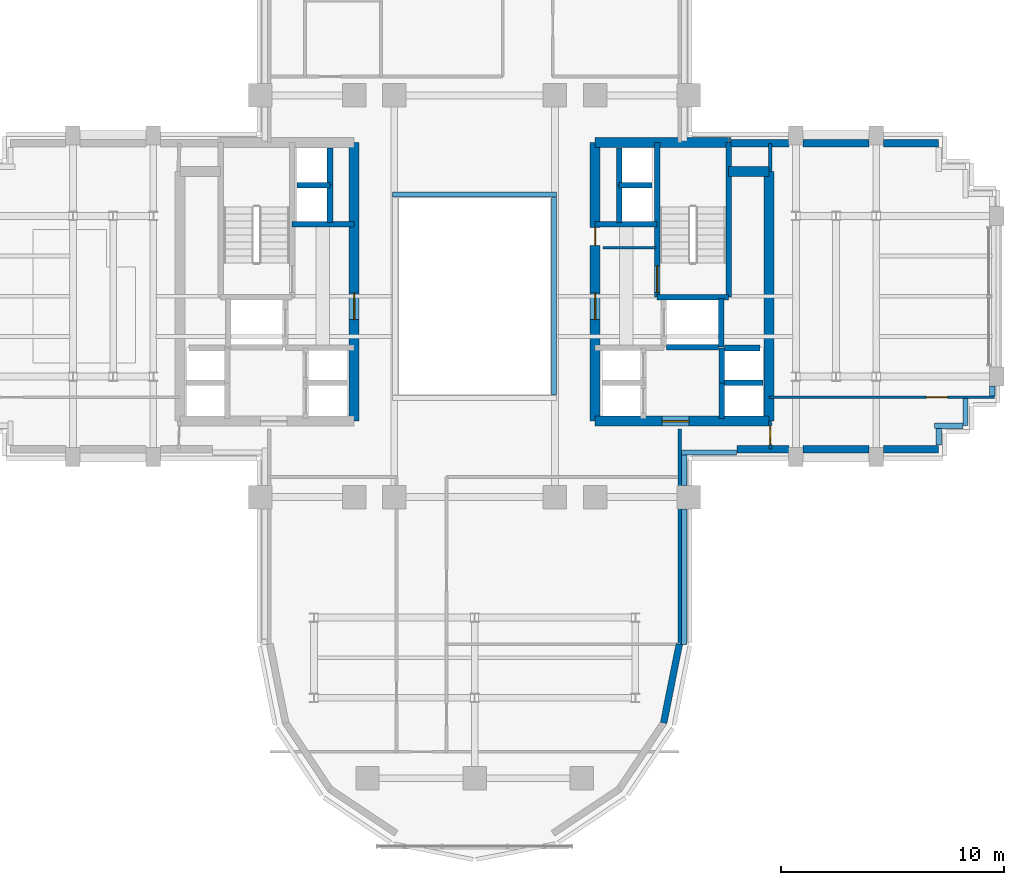
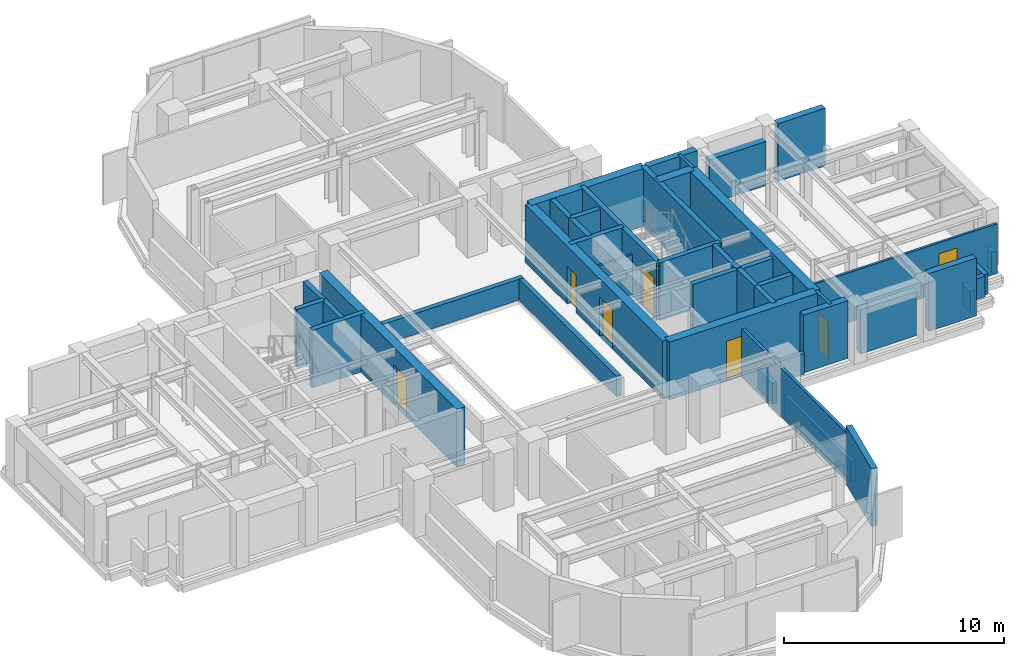
# One storey, part 9 of 13: 45 walls, 7 doors, 7 openings.
"""IFC4 building model written with IfcOpenShell, lengths in metres."""

from ifc_helpers import new_model, si_unit, direction, frame, frame_2d, origin, place, context, subcontext, project, spatial, rectangle, extrude, source, transform, mapped, material, layer, layer_set, type_object, element, fill, save


model = new_model("IFC4")

# Units and contexts
model_context = context("Model", 3, precision=1e-05, world=origin(), true_north=direction((0.0, 1.0)))
body_context = subcontext(model_context, "Body", "Model", "MODEL_VIEW")
ifc_project = project(units=[si_unit("LENGTHUNIT", "METRE"), si_unit("AREAUNIT", "SQUARE_METRE"), si_unit("VOLUMEUNIT", "CUBIC_METRE"), si_unit("PLANEANGLEUNIT", "RADIAN"), si_unit("MASSUNIT", "GRAM", prefix="KILO")], contexts=[model_context])

# Site, building, storey
site_placement = place(None, origin())
site = spatial("IfcSite", under=ifc_project, at=site_placement, CompositionType="ELEMENT")
building_placement = place(site_placement, origin())
building = spatial("IfcBuilding", under=site, at=building_placement, Name="Keilestroom Media Tower", CompositionType="ELEMENT")
storey_placement = place(building_placement, frame((0.0, 0.0, 97.199951171875)))
storey = spatial("IfcBuildingStorey", under=building, at=storey_placement, Name="L25", CompositionType="ELEMENT", Elevation=97.199951171875)

# Walls
ifc_material_1 = material(Name="Precast concrete C40/50", Category="concrete")
ifc_layer_1 = layer(ifc_material_1, 0.300048828125)
ifc_layer_set_1 = layer_set([ifc_layer_1], Name="Precast concrete C40/50")
wall_type_1 = type_object("IfcWallType", Name="Exterior-Masonry-Spandrel-Wall-300", PredefinedType="SOLIDWALL", material=ifc_layer_set_1)
wall_1_placement = place(storey_placement, frame((8.470703125, -19.12451171875, 0.0), z_axis=(0.0, 0.0, 1.0), x_axis=(0.195114232679, 0.980780523974, 0.0)))
element("IfcWall", 1, at=wall_1_placement, inside=storey, type_object=wall_type_1, Name="L25 Lobe Facet Precast Frame Wall 12", PredefinedType="SOLIDWALL", context=body_context, shape_type="SweptSolid", body=[
    extrude(rectangle(XDim=3.608642578125, YDim=0.300048828125, at=frame_2d((1.80419921875, 0.0))), origin(), (0.0, 0.0, 1.0), 3.199951171875),
])
ifc_layer_2 = layer(ifc_material_1, 0.340087890625)
ifc_layer_set_2 = layer_set([ifc_layer_2], Name="Precast concrete C40/50")
wall_type_2 = type_object("IfcWallType", Name="Exterior-Masonry-Spandrel-Wall-340", PredefinedType="SOLIDWALL", material=ifc_layer_set_2)
wall_2_placement = place(storey_placement, frame((11.498046875, 6.85009765625, 0.0), z_axis=(0.0, 0.0, 1.0), x_axis=(1.0, 0.0, 0.0)))
element("IfcWall", 2, at=wall_2_placement, inside=storey, type_object=wall_type_2, Name="L25 Flank Masonry Wall EWL-L25-NE-1", PredefinedType="SOLIDWALL", context=body_context, shape_type="SweptSolid", body=[
    extrude(rectangle(XDim=2.5849609375, YDim=0.340087890625, at=frame_2d((1.29248046875, 0.0))), origin(), (0.0, 0.0, 1.0), 3.199951171875),
])
wall_3_placement = place(storey_placement, frame((14.717041015625, 6.85009765625, 0.0), z_axis=(0.0, 0.0, 1.0), x_axis=(1.0, 0.0, 0.0)))
element("IfcWall", 3, at=wall_3_placement, inside=storey, type_object=wall_type_2, Name="L25 Flank Masonry Wall EWL-L25-NE-2", PredefinedType="SOLIDWALL", context=body_context, shape_type="SweptSolid", body=[
    extrude(rectangle(XDim=2.966064453125, YDim=0.340087890625, at=frame_2d((1.48291015625, 0.0))), origin(), (0.0, 0.0, 1.0), 2.449951171875),
])
wall_4_placement = place(storey_placement, frame((18.31689453125, 6.85009765625, 0.0), z_axis=(0.0, 0.0, 1.0), x_axis=(1.0, 0.0, 0.0)))
element("IfcWall", 4, at=wall_4_placement, inside=storey, type_object=wall_type_2, Name="L25 Flank Masonry Wall EWL-L25-NE-3", PredefinedType="SOLIDWALL", context=body_context, shape_type="SweptSolid", body=[
    extrude(rectangle(XDim=2.483154296875, YDim=0.340087890625, at=frame_2d((1.24169921875, 0.0))), origin(), (0.0, 0.0, 1.0), 3.199951171875),
])
wall_5_placement = place(storey_placement, frame((11.75, -6.85009765625, 0.0), z_axis=(0.0, 0.0, 1.0), x_axis=(1.0, 0.0, 0.0)))
element("IfcWall", 5, at=wall_5_placement, inside=storey, type_object=wall_type_2, Name="L25 Flank Masonry Wall EWL-L25-SE-1", PredefinedType="SOLIDWALL", context=body_context, shape_type="SweptSolid", body=[
    extrude(rectangle(XDim=2.3330078125, YDim=0.340087890625, at=frame_2d((1.16650390625, 0.0))), origin(), (0.0, 0.0, 1.0), 3.199951171875),
])
wall_6_placement = place(storey_placement, frame((14.717041015625, -6.85009765625, 0.0), z_axis=(0.0, 0.0, 1.0), x_axis=(1.0, 0.0, 0.0)))
element("IfcWall", 6, at=wall_6_placement, inside=storey, type_object=wall_type_2, Name="L25 Flank Masonry Wall EWL-L25-SE-2", PredefinedType="SOLIDWALL", context=body_context, shape_type="SweptSolid", body=[
    extrude(rectangle(XDim=2.966064453125, YDim=0.340087890625, at=frame_2d((1.48291015625, 0.0))), origin(), (0.0, 0.0, 1.0), 2.449951171875),
])
wall_7_placement = place(storey_placement, frame((18.31689453125, -6.85009765625, 0.0), z_axis=(0.0, 0.0, 1.0), x_axis=(1.0, 0.0, 0.0)))
element("IfcWall", 7, at=wall_7_placement, inside=storey, type_object=wall_type_2, Name="L25 Flank Masonry Wall EWL-L25-SE-3", PredefinedType="SOLIDWALL", context=body_context, shape_type="SweptSolid", body=[
    extrude(rectangle(XDim=2.483154296875, YDim=0.340087890625, at=frame_2d((1.24169921875, 0.0))), origin(), (0.0, 0.0, 1.0), 3.199951171875),
])
ifc_material_2 = material(Name="Gypsum Plasterboard & Steel Stud", Category="steel")
ifc_layer_3 = layer(ifc_material_2, 0.1201171875)
ifc_layer_set_3 = layer_set([ifc_layer_3], Name="Gypsum Plasterboard & Steel Stud")
wall_type_3 = type_object("IfcWallType", Name="Interior-Partition-Wall-120", PredefinedType="PARTITIONING", material=ifc_layer_set_3)
wall_8_placement = place(storey_placement, frame((5.75, 2.179931640625, 0.0), z_axis=(0.0, 0.0, 1.0), x_axis=(1.0, 0.0, 0.0)))
element("IfcWall", 8, at=wall_8_placement, inside=storey, type_object=wall_type_3, Name="L25 Interior Wall WP-L25-CIE-S", PredefinedType="PARTITIONING", context=body_context, shape_type="SweptSolid", body=[
    extrude(rectangle(XDim=2.389892578125, YDim=0.1201171875, at=frame_2d((1.19482421875, 0.0))), origin(), (0.0, 0.0, 1.0), 2.300048828125),
])

# Wall, opening, door
wall_9_placement = place(storey_placement, frame((13.199951171875, -4.530029296875, 0.0), z_axis=(0.0, 0.0, 1.0), x_axis=(1.0, 0.0, 0.0)))
wall_9 = element("IfcWall", 9, at=wall_9_placement, inside=storey, type_object=wall_type_3, Name="L25 Interior Wall WP-L25-EA-CN", PredefinedType="PARTITIONING", context=body_context, shape_type="SweptSolid", body=[
    extrude(rectangle(XDim=10.10009765625, YDim=0.1201171875, at=frame_2d((5.050048828125, 0.0))), origin(), (0.0, 0.0, 1.0), 2.760009765625),
])
opening_1_placement = place(wall_9_placement, frame((7.050048828125, 0.0, 0.0)))
opening_1 = element("IfcOpeningElement", 10, at=opening_1_placement, cuts=wall_9, Name="Opening DI-03", PredefinedType="OPENING", context=body_context, shape_type="SweptSolid", body=[
    extrude(rectangle(XDim=0.949951171875, YDim=2.14990234375, at=frame_2d((0.47509765625, 1.074951171875))), frame((0.0, 0.070068359375, 0.0), z_axis=(0.0, -1.0, 0.0), x_axis=(1.0, 0.0, 0.0)), (0.0, 0.0, 1.0), 0.14013671875),
])
ifc_material_3 = material(Name="Lacquered European Oak Leaf", Category="wood")
door_type_1 = type_object("IfcDoorType", Name="Interior-Room-And-Suite-Door-DI-03", OperationType="NOTDEFINED", PredefinedType="DOOR", material=ifc_material_3)
shared_shape_1 = source(origin(), body_context, "Body", "SweptSolid", [
    extrude(rectangle(XDim=0.949951171875, YDim=2.14990234375, at=frame_2d((0.47509765625, 1.074951171875))), frame((0.0, 0.02490234375, 0.0), z_axis=(0.0, -1.0, 0.0), x_axis=(1.0, 0.0, 0.0)), (0.0, 0.0, 1.0), 0.050048828125),
])
door_1_placement = place(opening_1_placement, origin())
door_1 = element("IfcDoor", 11, at=door_1_placement, inside=storey, type_object=door_type_1, Name="L25 Interior Door DI-L25-DEA-RN", OperationType="SINGLE_SWING_LEFT", OverallHeight=2.14990234375, OverallWidth=0.949951171875, PredefinedType="DOOR", context=body_context, shape_type="MappedRepresentation", body=[
    mapped(shared_shape_1, transform((0.0, 0.0, 0.0), x_axis=(1.0, 0.0, 0.0), y_axis=(0.0, 1.0, 0.0), z_axis=(0.0, 0.0, 1.0), scale=1.0)),
])
fill(opening_1, door_1)

# Walls
ifc_layer_4 = layer(ifc_material_2, 0.14990234375)
ifc_layer_set_4 = layer_set([ifc_layer_4], Name="Gypsum Plasterboard & Steel Stud")
wall_type_4 = type_object("IfcWallType", Name="Interior-Partition-Wall-150", PredefinedType="PARTITIONING", material=ifc_layer_set_4)
wall_10_placement = place(storey_placement, frame((9.199951171875, -15.679931640625, 0.0), z_axis=(0.0, 0.0, 1.0), x_axis=(0.0, 1.0, 0.0)))
element("IfcWall", 12, at=wall_10_placement, inside=storey, type_object=wall_type_4, Name="L25 Interior Wall WP-L25-SL-CHKE", PredefinedType="PARTITIONING", context=body_context, shape_type="SweptSolid", body=[
    extrude(rectangle(XDim=9.739990234375, YDim=0.14990234375, at=frame_2d((4.8701171875, 0.0))), origin(), (0.0, 0.0, 1.0), 2.699951171875),
])
wall_11_placement = place(storey_placement, frame((13.260009765625, 5.60009765625, 0.0), z_axis=(0.0, 0.0, 1.0), x_axis=(-0.016013571389, 0.999871774545, 0.0)))
element("IfcWall", 13, at=wall_11_placement, inside=storey, type_object=wall_type_4, Name="L25 Interior Wall WP-L25-EA-ENTN", PredefinedType="PARTITIONING", context=body_context, shape_type="SweptSolid", body=[
    extrude(rectangle(XDim=1.250244140625, YDim=0.14990234375, at=frame_2d((0.625, 0.0))), origin(), (0.0, 0.0, 1.0), 3.199951171875),
])

# Wall, opening, door
wall_12_placement = place(storey_placement, frame((13.260009765625, -6.85009765625, 0.0), z_axis=(0.0, 0.0, 1.0), x_axis=(-0.016013571389, 0.999871774545, 0.0)))
wall_12 = element("IfcWall", 14, at=wall_12_placement, inside=storey, type_object=wall_type_4, Name="L25 Interior Wall WP-L25-EA-ENTS", PredefinedType="PARTITIONING", context=body_context, shape_type="SweptSolid", body=[
    extrude(rectangle(XDim=1.250244140625, YDim=0.14990234375, at=frame_2d((0.625, 0.0))), origin(), (0.0, 0.0, 1.0), 3.199951171875),
])
opening_2_placement = place(wall_12_placement, frame((0.199951171875, 0.0, 0.0)))
opening_2 = element("IfcOpeningElement", 15, at=opening_2_placement, cuts=wall_12, Name="Opening DI-05", PredefinedType="OPENING", context=body_context, shape_type="SweptSolid", body=[
    extrude(rectangle(XDim=0.85009765625, YDim=2.10009765625, at=frame_2d((0.425048828125, 1.050048828125))), frame((0.0, 0.0849609375, 0.0), z_axis=(0.0, -1.0, 0.0), x_axis=(1.0, 0.0, 0.0)), (0.0, 0.0, 1.0), 0.169921875),
])
ifc_material_4 = material(Name="Moisture-Resistant Oak Leaf", Category="wood")
door_type_2 = type_object("IfcDoorType", Name="Interior-En-Suite-And-Cupboard-Door-DI-05", OperationType="NOTDEFINED", PredefinedType="DOOR", material=ifc_material_4)
shared_shape_2 = source(origin(), body_context, "Body", "SweptSolid", [
    extrude(rectangle(XDim=0.85009765625, YDim=2.10009765625, at=frame_2d((0.425048828125, 1.050048828125))), frame((0.0, 0.02490234375, 0.0), z_axis=(0.0, -1.0, 0.0), x_axis=(1.0, 0.0, 0.0)), (0.0, 0.0, 1.0), 0.050048828125),
])
door_2_placement = place(opening_2_placement, origin())
door_2 = element("IfcDoor", 16, at=door_2_placement, inside=storey, type_object=door_type_2, Name="L25 Interior Door DI-L25-DEA-ENTS", OperationType="SINGLE_SWING_LEFT", OverallHeight=2.10009765625, OverallWidth=0.85009765625, PredefinedType="DOOR", context=body_context, shape_type="MappedRepresentation", body=[
    mapped(shared_shape_2, transform((0.0, 0.0, 0.0), x_axis=(1.0, 0.0, 0.0), y_axis=(0.0, 1.0, 0.0), z_axis=(0.0, 0.0, 1.0), scale=1.0)),
])
fill(opening_2, door_2)

ifc_material_5 = material(Name="Concrete C55/67", Category="concrete")
ifc_layer_5 = layer(ifc_material_5, 0.449951171875)
ifc_layer_set_5 = layer_set([ifc_layer_5], Name="Concrete C55/67")
wall_type_5 = type_object("IfcWallType", Name="Reinforced-Concrete-Core-Shear-Wall-450", PredefinedType="SHEAR", material=ifc_layer_set_5)
wall_13_placement = place(storey_placement, frame((-5.39990234375, -5.60009765625, 0.0), z_axis=(0.0, 0.0, 1.0), x_axis=(0.0, 1.0, 0.0)))
wall_13 = element("IfcWall", 17, at=wall_13_placement, inside=storey, type_object=wall_type_5, Name="L25 Core Shear Wall WL-L25-CORE-W-IN", PredefinedType="SHEAR", context=body_context, shape_type="SweptSolid", body=[
    extrude(rectangle(XDim=12.5, YDim=0.449951171875, at=frame_2d((6.25, 0.0))), origin(), (0.0, 0.0, 1.0), 3.199951171875),
])
opening_3_placement = place(wall_13_placement, frame((4.550048828125, 0.0, 0.0)))
opening_3 = element("IfcOpeningElement", 18, at=opening_3_placement, cuts=wall_13, Name="Opening DI-02", PredefinedType="OPENING", context=body_context, shape_type="SweptSolid", body=[
    extrude(rectangle(XDim=1.199951171875, YDim=2.199951171875, at=frame_2d((0.60009765625, 1.10009765625))), frame((0.0, 0.23486328125, 0.0), z_axis=(0.0, -1.0, 0.0), x_axis=(1.0, 0.0, 0.0)), (0.0, 0.0, 1.0), 0.469970703125),
])
ifc_material_6 = material(Name="Powder-Coated Steel Fire Leaf", Category="steel")
door_type_3 = type_object("IfcDoorType", Name="Interior-Compartment-Fire-Door-DI-02", OperationType="NOTDEFINED", PredefinedType="DOOR", material=ifc_material_6)
shared_shape_3 = source(origin(), body_context, "Body", "SweptSolid", [
    extrude(rectangle(XDim=1.199951171875, YDim=2.199951171875, at=frame_2d((0.60009765625, 1.10009765625))), frame((0.0, 0.02490234375, 0.0), z_axis=(0.0, -1.0, 0.0), x_axis=(1.0, 0.0, 0.0)), (0.0, 0.0, 1.0), 0.050048828125),
])
door_3_placement = place(opening_3_placement, origin())
door_3 = element("IfcDoor", 19, at=door_3_placement, inside=storey, type_object=door_type_3, Name="L25 W Firefighting Lobby Door", OperationType="SINGLE_SWING_RIGHT", OverallHeight=2.199951171875, OverallWidth=1.199951171875, PredefinedType="DOOR", context=body_context, shape_type="MappedRepresentation", body=[
    mapped(shared_shape_3, transform((0.0, 0.0, 0.0), x_axis=(1.0, 0.0, 0.0), y_axis=(0.0, 1.0, 0.0), z_axis=(0.0, 0.0, 1.0), scale=1.0)),
])
fill(opening_3, door_3)

# Wall
wall_14_placement = place(storey_placement, frame((13.199951171875, -5.60009765625, 0.0), z_axis=(0.0, 0.0, 1.0), x_axis=(0.0, 1.0, 0.0)))
element("IfcWall", 20, at=wall_14_placement, inside=storey, type_object=wall_type_5, Name="L25 Core Shear Wall WL-L25-CORE-E-OUT", PredefinedType="SHEAR", context=body_context, shape_type="SweptSolid", body=[
    extrude(rectangle(XDim=11.2001953125, YDim=0.449951171875, at=frame_2d((5.60009765625, 0.0))), origin(), (0.0, 0.0, 1.0), 3.199951171875),
])

# Wall, openings, doors
wall_15_placement = place(storey_placement, frame((5.39990234375, -5.60009765625, 0.0), z_axis=(0.0, 0.0, 1.0), x_axis=(0.0, 1.0, 0.0)))
wall_15 = element("IfcWall", 21, at=wall_15_placement, inside=storey, type_object=wall_type_5, Name="L25 Core Shear Wall WL-L25-CORE-E-IN", PredefinedType="SHEAR", context=body_context, shape_type="SweptSolid", body=[
    extrude(rectangle(XDim=12.5, YDim=0.449951171875, at=frame_2d((6.25, 0.0))), origin(), (0.0, 0.0, 1.0), 3.199951171875),
])
opening_4_placement = place(wall_15_placement, frame((4.550048828125, 0.0, 0.0)))
opening_4 = element("IfcOpeningElement", 22, at=opening_4_placement, cuts=wall_15, Name="Opening DI-02", PredefinedType="OPENING", context=body_context, shape_type="SweptSolid", body=[
    extrude(rectangle(XDim=1.199951171875, YDim=2.199951171875, at=frame_2d((0.60009765625, 1.10009765625))), frame((0.0, 0.23486328125, 0.0), z_axis=(0.0, -1.0, 0.0), x_axis=(1.0, 0.0, 0.0)), (0.0, 0.0, 1.0), 0.469970703125),
])
opening_5_placement = place(wall_15_placement, frame((7.8798828125, 0.0, 0.0)))
opening_5 = element("IfcOpeningElement", 23, at=opening_5_placement, cuts=wall_15, Name="Opening DI-06", PredefinedType="OPENING", context=body_context, shape_type="SweptSolid", body=[
    extrude(rectangle(XDim=0.800048828125, YDim=2.10009765625, at=frame_2d((0.39990234375, 1.050048828125))), frame((0.0, 0.23486328125, 0.0), z_axis=(0.0, -1.0, 0.0), x_axis=(1.0, 0.0, 0.0)), (0.0, 0.0, 1.0), 0.469970703125),
])
door_4_placement = place(opening_4_placement, origin())
door_4 = element("IfcDoor", 24, at=door_4_placement, inside=storey, type_object=door_type_3, Name="L25 E Firefighting Lobby Door", OperationType="SINGLE_SWING_LEFT", OverallHeight=2.199951171875, OverallWidth=1.199951171875, PredefinedType="DOOR", context=body_context, shape_type="MappedRepresentation", body=[
    mapped(shared_shape_3, transform((0.0, 0.0, 0.0), x_axis=(1.0, 0.0, 0.0), y_axis=(0.0, 1.0, 0.0), z_axis=(0.0, 0.0, 1.0), scale=1.0)),
])
fill(opening_4, door_4)
ifc_material_7 = material(Name="Powder-Coated Steel Service Leaf", Category="steel")
door_type_4 = type_object("IfcDoorType", Name="Interior-Riser-Access-Door-DI-06", OperationType="NOTDEFINED", PredefinedType="DOOR", material=ifc_material_7)
shared_shape_4 = source(origin(), body_context, "Body", "SweptSolid", [
    extrude(rectangle(XDim=0.800048828125, YDim=2.10009765625, at=frame_2d((0.39990234375, 1.050048828125))), frame((0.0, 0.02490234375, 0.0), z_axis=(0.0, -1.0, 0.0), x_axis=(1.0, 0.0, 0.0)), (0.0, 0.0, 1.0), 0.050048828125),
])
door_5_placement = place(opening_5_placement, origin())
door_5 = element("IfcDoor", 25, at=door_5_placement, inside=storey, type_object=door_type_4, Name="L25 East Core Closet Door", OperationType="SINGLE_SWING_RIGHT", OverallHeight=2.10009765625, OverallWidth=0.800048828125, PredefinedType="DOOR", context=body_context, shape_type="MappedRepresentation", body=[
    mapped(shared_shape_4, transform((0.0, 0.0, 0.0), x_axis=(1.0, 0.0, 0.0), y_axis=(0.0, 1.0, 0.0), z_axis=(0.0, 0.0, 1.0), scale=1.0)),
])
fill(opening_5, door_5)

# Walls
wall_16_placement = place(storey_placement, frame((5.39990234375, 6.89990234375, 0.0), z_axis=(0.0, 0.0, 1.0), x_axis=(1.0, 0.0, 0.0)))
element("IfcWall", 26, at=wall_16_placement, inside=storey, type_object=wall_type_5, Name="L25 Core Shear Wall WL-L25-CORE-E-N", PredefinedType="SHEAR", context=body_context, shape_type="SweptSolid", body=[
    extrude(rectangle(XDim=5.981201171875, YDim=0.449951171875, at=frame_2d((2.99072265625, 0.0))), origin(), (0.0, 0.0, 1.0), 3.199951171875),
])
wall_17_placement = place(storey_placement, frame((11.381103515625, 5.60009765625, 0.0), z_axis=(0.0, 0.0, 1.0), x_axis=(1.0, 0.0, 0.0)))
element("IfcWall", 27, at=wall_17_placement, inside=storey, type_object=wall_type_5, Name="L25 Core Shear Wall WL-L25-CNE-N", PredefinedType="SHEAR", context=body_context, shape_type="SweptSolid", body=[
    extrude(rectangle(XDim=1.81884765625, YDim=0.449951171875, at=frame_2d((0.909423828125, 0.0))), origin(), (0.0, 0.0, 1.0), 3.199951171875),
])

# Wall, opening, door
wall_18_placement = place(storey_placement, frame((5.39990234375, -5.60009765625, 0.0), z_axis=(0.0, 0.0, 1.0), x_axis=(1.0, 0.0, 0.0)))
wall_18 = element("IfcWall", 28, at=wall_18_placement, inside=storey, type_object=wall_type_5, Name="L25 Core Shear Wall WL-L25-CORE-E-S", PredefinedType="SHEAR", context=body_context, shape_type="SweptSolid", body=[
    extrude(rectangle(XDim=7.800048828125, YDim=0.449951171875, at=frame_2d((3.89990234375, 0.0))), origin(), (0.0, 0.0, 1.0), 3.199951171875),
])
opening_6_placement = place(wall_18_placement, frame((3.0, 0.0, 0.0)))
opening_6 = element("IfcOpeningElement", 29, at=opening_6_placement, cuts=wall_18, Name="Opening DI-02", PredefinedType="OPENING", context=body_context, shape_type="SweptSolid", body=[
    extrude(rectangle(XDim=1.199951171875, YDim=2.199951171875, at=frame_2d((0.60009765625, 1.10009765625))), frame((0.0, 0.23486328125, 0.0), z_axis=(0.0, -1.0, 0.0), x_axis=(1.0, 0.0, 0.0)), (0.0, 0.0, 1.0), 0.469970703125),
])
door_6_placement = place(opening_6_placement, origin())
door_6 = element("IfcDoor", 30, at=door_6_placement, inside=storey, type_object=door_type_3, Name="L25 E Passenger Lift Lobby Door", OperationType="SINGLE_SWING_RIGHT", OverallHeight=2.199951171875, OverallWidth=1.199951171875, PredefinedType="DOOR", context=body_context, shape_type="MappedRepresentation", body=[
    mapped(shared_shape_3, transform((0.0, 0.0, 0.0), x_axis=(1.0, 0.0, 0.0), y_axis=(0.0, 1.0, 0.0), z_axis=(0.0, 0.0, 1.0), scale=1.0)),
])
fill(opening_6, door_6)

# Walls
ifc_material_8 = material(Name="Concrete C50/60", Category="concrete")
ifc_layer_6 = layer(ifc_material_8, 0.25)
ifc_layer_set_6 = layer_set([ifc_layer_6], Name="Concrete C50/60")
wall_type_6 = type_object("IfcWallType", Name="Reinforced-Concrete-Shaft-Wall-250", PredefinedType="SOLIDWALL", material=ifc_layer_set_6)
for number, where, z_axis, x_axis, name in (
    (31, (-8.179931640625, 3.219970703125, 0.0), (0.0, 0.0, 1.0), (1.0, 0.0, 0.0), "L25 Core Shear Wall WL-L25-CORE-W-FFN"),
    (32, (5.39990234375, 3.219970703125, 0.0), (0.0, 0.0, 1.0), (1.0, 0.0, 0.0), "L25 Core Shear Wall WL-L25-CORE-E-FFN"),
):
    element("IfcWall", number, at=place(storey_placement, frame(where, z_axis=z_axis, x_axis=x_axis)), inside=storey, type_object=wall_type_6, Name=name, PredefinedType="SOLIDWALL", context=body_context, shape_type="SweptSolid", body=[
        extrude(rectangle(XDim=2.780029296875, YDim=0.25, at=frame_2d((1.39013671875, 0.0))), origin(), (0.0, 0.0, 1.0), 3.199951171875),
    ])

# Wall, opening, door
wall_19_placement = place(storey_placement, frame((8.178955078125, -0.041015625, 0.0), z_axis=(0.0, 0.0, 1.0), x_axis=(0.0, 1.0, 0.0)))
wall_19 = element("IfcWall", 33, at=wall_19_placement, inside=storey, type_object=wall_type_6, Name="L25 Core Shear Wall WL-L25-STW-E-NEAR", PredefinedType="SOLIDWALL", context=body_context, shape_type="SweptSolid", body=[
    extrude(rectangle(XDim=6.94091796875, YDim=0.25, at=frame_2d((3.470458984375, 0.0))), origin(), (0.0, 0.0, 1.0), 3.199951171875),
])
opening_7_placement = place(wall_19_placement, frame((0.199951171875, 0.0, 0.0)))
opening_7 = element("IfcOpeningElement", 34, at=opening_7_placement, cuts=wall_19, Name="Opening DI-01S", PredefinedType="OPENING", context=body_context, shape_type="SweptSolid", body=[
    extrude(rectangle(XDim=1.199951171875, YDim=2.199951171875, at=frame_2d((0.60009765625, 1.10009765625))), frame((0.0, 0.135009765625, 0.0), z_axis=(0.0, -1.0, 0.0), x_axis=(1.0, 0.0, 0.0)), (0.0, 0.0, 1.0), 0.27001953125),
])
door_type_5 = type_object("IfcDoorType", Name="Interior-Stair-And-Core-Fire-Door-DI-01", OperationType="NOTDEFINED", PredefinedType="DOOR", material=ifc_material_6)
door_7_placement = place(opening_7_placement, origin())
door_7 = element("IfcDoor", 35, at=door_7_placement, inside=storey, type_object=door_type_5, Name="L25 Escape Stair ST-2 Fire Door", OperationType="SINGLE_SWING_RIGHT", OverallHeight=2.199951171875, OverallWidth=1.199951171875, PredefinedType="DOOR", context=body_context, shape_type="MappedRepresentation", body=[
    mapped(shared_shape_3, transform((0.0, 0.0, 0.0), x_axis=(1.0, 0.0, 0.0), y_axis=(0.0, 1.0, 0.0), z_axis=(0.0, 0.0, 1.0), scale=1.0)),
])
fill(opening_7, door_7)

# Walls
wall_20_placement = place(storey_placement, frame((11.381103515625, -0.041015625, 0.0), z_axis=(0.0, 0.0, 1.0), x_axis=(0.0, 1.0, 0.0)))
element("IfcWall", 36, at=wall_20_placement, inside=storey, type_object=wall_type_6, Name="L25 Core Shear Wall WL-L25-STW-E-FAR", PredefinedType="SOLIDWALL", context=body_context, shape_type="SweptSolid", body=[
    extrude(rectangle(XDim=6.94091796875, YDim=0.25, at=frame_2d((3.470458984375, 0.0))), origin(), (0.0, 0.0, 1.0), 3.199951171875),
])
wall_21_placement = place(storey_placement, frame((8.178955078125, -0.041015625, 0.0), z_axis=(0.0, 0.0, 1.0), x_axis=(1.0, 0.0, 0.0)))
element("IfcWall", 37, at=wall_21_placement, inside=storey, type_object=wall_type_6, Name="L25 Core Shear Wall WL-L25-STW-E-S", PredefinedType="SOLIDWALL", context=body_context, shape_type="SweptSolid", body=[
    extrude(rectangle(XDim=3.2021484375, YDim=0.25, at=frame_2d((1.60107421875, 0.0))), origin(), (0.0, 0.0, 1.0), 3.199951171875),
])
wall_22_placement = place(storey_placement, frame((11.050048828125, -2.280029296875, 0.0), z_axis=(0.0, 0.0, 1.0), x_axis=(0.0, 1.0, 0.0)))
element("IfcWall", 38, at=wall_22_placement, inside=storey, type_object=wall_type_6, Name="L25 Core Shear Wall WL-L25-LSH-FFL-2-E", PredefinedType="SOLIDWALL", context=body_context, shape_type="SweptSolid", body=[
    extrude(rectangle(XDim=2.179931640625, YDim=0.25, at=frame_2d((1.08984375, 0.0))), origin(), (0.0, 0.0, 1.0), 3.199951171875),
])
wall_23_placement = place(storey_placement, frame((8.60888671875, -2.280029296875, 0.0), z_axis=(0.0, 0.0, 1.0), x_axis=(1.0, 0.0, 0.0)))
element("IfcWall", 39, at=wall_23_placement, inside=storey, type_object=wall_type_6, Name="L25 Core Shear Wall WL-L25-LSH-FFL-2-S", PredefinedType="SOLIDWALL", context=body_context, shape_type="SweptSolid", body=[
    extrude(rectangle(XDim=2.31201171875, YDim=0.25, at=frame_2d((1.156005859375, 0.0))), origin(), (0.0, 0.0, 1.0), 3.199951171875),
])
wall_24_placement = place(storey_placement, frame((11.080078125, -5.47998046875, 0.0), z_axis=(0.0, 0.0, 1.0), x_axis=(0.0, 1.0, 0.0)))
element("IfcWall", 40, at=wall_24_placement, inside=storey, type_object=wall_type_6, Name="L25 Core Shear Wall WL-L25-LSH-PL-L3-W", PredefinedType="SOLIDWALL", context=body_context, shape_type="SweptSolid", body=[
    extrude(rectangle(XDim=1.60009765625, YDim=0.25, at=frame_2d((0.800048828125, 0.0))), origin(), (0.0, 0.0, 1.0), 3.199951171875),
])
wall_25_placement = place(storey_placement, frame((11.080078125, -3.8798828125, 0.0), z_axis=(0.0, 0.0, 1.0), x_axis=(1.0, 0.0, 0.0)))
element("IfcWall", 41, at=wall_25_placement, inside=storey, type_object=wall_type_6, Name="L25 Core Shear Wall WL-L25-LSH-PL-L3-N", PredefinedType="SOLIDWALL", context=body_context, shape_type="SweptSolid", body=[
    extrude(rectangle(XDim=1.83984375, YDim=0.25, at=frame_2d((0.919921875, 0.0))), origin(), (0.0, 0.0, 1.0), 3.199951171875),
])
wall_26_placement = place(storey_placement, frame((11.080078125, -3.8798828125, 0.0), z_axis=(0.0, 0.0, 1.0), x_axis=(0.0, 1.0, 0.0)))
element("IfcWall", 42, at=wall_26_placement, inside=storey, type_object=wall_type_6, Name="L25 Core Shear Wall WL-L25-LSH-PL-L4-W", PredefinedType="SOLIDWALL", context=body_context, shape_type="SweptSolid", body=[
    extrude(rectangle(XDim=1.559814453125, YDim=0.25, at=frame_2d((0.77978515625, 0.0))), origin(), (0.0, 0.0, 1.0), 3.199951171875),
])
wall_27_placement = place(storey_placement, frame((11.208984375, -2.320068359375, 0.0), z_axis=(0.0, 0.0, 1.0), x_axis=(1.0, 0.0, 0.0)))
element("IfcWall", 43, at=wall_27_placement, inside=storey, type_object=wall_type_6, Name="L25 Core Shear Wall WL-L25-LSH-PL-L4-N", PredefinedType="SOLIDWALL", context=body_context, shape_type="SweptSolid", body=[
    extrude(rectangle(XDim=1.58203125, YDim=0.25, at=frame_2d((0.791015625, 0.0))), origin(), (0.0, 0.0, 1.0), 3.199951171875),
])
wall_28_placement = place(storey_placement, frame((-6.47998046875, 3.300048828125, 0.0), z_axis=(0.0, 0.0, 1.0), x_axis=(0.0, 1.0, 0.0)))
element("IfcWall", 44, at=wall_28_placement, inside=storey, type_object=wall_type_6, Name="L25 Core Shear Wall WL-L25-LSH-PL-H1-E", PredefinedType="SOLIDWALL", context=body_context, shape_type="SweptSolid", body=[
    extrude(rectangle(XDim=1.679931640625, YDim=0.25, at=frame_2d((0.83984375, 0.0))), origin(), (0.0, 0.0, 1.0), 3.199951171875),
])
wall_29_placement = place(storey_placement, frame((-7.949951171875, 4.97998046875, 0.0), z_axis=(0.0, 0.0, 1.0), x_axis=(1.0, 0.0, 0.0)))
element("IfcWall", 45, at=wall_29_placement, inside=storey, type_object=wall_type_6, Name="L25 Core Shear Wall WL-L25-LSH-PL-H1-N", PredefinedType="SOLIDWALL", context=body_context, shape_type="SweptSolid", body=[
    extrude(rectangle(XDim=1.469970703125, YDim=0.25, at=frame_2d((0.73486328125, 0.0))), origin(), (0.0, 0.0, 1.0), 3.199951171875),
])
wall_30_placement = place(storey_placement, frame((-6.47998046875, 4.97998046875, 0.0), z_axis=(0.0, 0.0, 1.0), x_axis=(0.0, 1.0, 0.0)))
element("IfcWall", 46, at=wall_30_placement, inside=storey, type_object=wall_type_6, Name="L25 Core Shear Wall WL-L25-LSH-PL-H2-E", PredefinedType="SOLIDWALL", context=body_context, shape_type="SweptSolid", body=[
    extrude(rectangle(XDim=1.669921875, YDim=0.25, at=frame_2d((0.8349609375, 0.0))), origin(), (0.0, 0.0, 1.0), 3.199951171875),
])
wall_31_placement = place(storey_placement, frame((6.47998046875, 3.300048828125, 0.0), z_axis=(0.0, 0.0, 1.0), x_axis=(0.0, 1.0, 0.0)))
element("IfcWall", 47, at=wall_31_placement, inside=storey, type_object=wall_type_6, Name="L25 Core Shear Wall WL-L25-LSH-PL-H3-W", PredefinedType="SOLIDWALL", context=body_context, shape_type="SweptSolid", body=[
    extrude(rectangle(XDim=1.679931640625, YDim=0.25, at=frame_2d((0.83984375, 0.0))), origin(), (0.0, 0.0, 1.0), 3.199951171875),
])
wall_32_placement = place(storey_placement, frame((6.47998046875, 4.97998046875, 0.0), z_axis=(0.0, 0.0, 1.0), x_axis=(1.0, 0.0, 0.0)))
element("IfcWall", 48, at=wall_32_placement, inside=storey, type_object=wall_type_6, Name="L25 Core Shear Wall WL-L25-LSH-PL-H3-N", PredefinedType="SOLIDWALL", context=body_context, shape_type="SweptSolid", body=[
    extrude(rectangle(XDim=1.469970703125, YDim=0.25, at=frame_2d((0.73486328125, 0.0))), origin(), (0.0, 0.0, 1.0), 3.199951171875),
])
wall_33_placement = place(storey_placement, frame((6.47998046875, 4.97998046875, 0.0), z_axis=(0.0, 0.0, 1.0), x_axis=(0.0, 1.0, 0.0)))
element("IfcWall", 49, at=wall_33_placement, inside=storey, type_object=wall_type_6, Name="L25 Core Shear Wall WL-L25-LSH-PL-H4-W", PredefinedType="SOLIDWALL", context=body_context, shape_type="SweptSolid", body=[
    extrude(rectangle(XDim=1.669921875, YDim=0.25, at=frame_2d((0.8349609375, 0.0))), origin(), (0.0, 0.0, 1.0), 3.199951171875),
])
ifc_layer_7 = layer(ifc_material_1, 0.239990234375)
ifc_layer_set_7 = layer_set([ifc_layer_7], Name="Precast concrete C40/50")
wall_type_7 = type_object("IfcWallType", Name="Roof-And-Terrace-Parapet-Wall-240", PredefinedType="PARAPET", material=ifc_layer_set_7)
wall_34_placement = place(storey_placement, frame((22.0, -4.593017578125, 0.0), z_axis=(0.0, 0.0, 1.0), x_axis=(0.0, -1.0, 0.0)))
element("IfcWall", 50, at=wall_34_placement, inside=storey, type_object=wall_type_7, Name="L25 Perimeter Edge Parapet Wall 01", PredefinedType="PARAPET", context=body_context, shape_type="SweptSolid", body=[
    extrude(rectangle(XDim=1.20703125, YDim=0.239990234375, at=frame_2d((0.603515625, 0.0))), origin(), (0.0, 0.0, 1.0), 1.150146484375),
])
wall_35_placement = place(storey_placement, frame((21.876953125, -5.800048828125, 0.0), z_axis=(0.0, 0.0, 1.0), x_axis=(-1.0, 0.0, 0.0)))
element("IfcWall", 51, at=wall_35_placement, inside=storey, type_object=wall_type_7, Name="L25 Perimeter Edge Parapet Wall 02", PredefinedType="PARAPET", context=body_context, shape_type="SweptSolid", body=[
    extrude(rectangle(XDim=1.27685546875, YDim=0.239990234375, at=frame_2d((0.638427734375, 0.0))), origin(), (0.0, 0.0, 1.0), 1.150146484375),
])
wall_36_placement = place(storey_placement, frame((20.800048828125, -5.923095703125, 0.0), z_axis=(0.0, 0.0, 1.0), x_axis=(0.0, -1.0, 0.0)))
element("IfcWall", 52, at=wall_36_placement, inside=storey, type_object=wall_type_7, Name="L25 Perimeter Edge Parapet Wall 03", PredefinedType="PARAPET", context=body_context, shape_type="SweptSolid", body=[
    extrude(rectangle(XDim=0.75390625, YDim=0.239990234375, at=frame_2d((0.376953125, 0.0))), origin(), (0.0, 0.0, 1.0), 1.150146484375),
])
wall_37_placement = place(storey_placement, frame((11.7470703125, -7.0, 0.0), z_axis=(0.0, 0.0, 1.0), x_axis=(-1.0, 0.0, 0.0)))
element("IfcWall", 53, at=wall_37_placement, inside=storey, type_object=wall_type_7, Name="L25 Perimeter Edge Parapet Wall 04", PredefinedType="PARAPET", context=body_context, shape_type="SweptSolid", body=[
    extrude(rectangle(XDim=2.468994140625, YDim=0.239990234375, at=frame_2d((1.234375, 0.0))), origin(), (0.0, 0.0, 1.0), 1.150146484375),
])
wall_38_placement = place(storey_placement, frame((9.39990234375, -7.123046875, 0.0), z_axis=(0.0, 0.0, 1.0), x_axis=(0.0, -1.0, 0.0)))
element("IfcWall", 54, at=wall_38_placement, inside=storey, type_object=wall_type_7, Name="L25 Perimeter Edge Parapet Wall 05", PredefinedType="PARAPET", context=body_context, shape_type="SweptSolid", body=[
    extrude(rectangle(XDim=1.348876953125, YDim=0.239990234375, at=frame_2d((0.67431640625, 0.0))), origin(), (0.0, 0.0, 1.0), 1.150146484375),
])
wall_39_placement = place(storey_placement, frame((9.39990234375, -9.528076171875, 0.0), z_axis=(0.0, 0.0, 1.0), x_axis=(0.0, -1.0, 0.0)))
element("IfcWall", 55, at=wall_39_placement, inside=storey, type_object=wall_type_7, Name="L25 Perimeter Edge Parapet Wall 06", PredefinedType="PARAPET", context=body_context, shape_type="SweptSolid", body=[
    extrude(rectangle(XDim=6.07470703125, YDim=0.239990234375, at=frame_2d((3.037353515625, 0.0))), origin(), (0.0, 0.0, 1.0), 1.150146484375),
])
wall_40_placement = place(storey_placement, frame((11.403076171875, 7.0, 0.0), z_axis=(0.0, 0.0, 1.0), x_axis=(1.0, 0.0, 0.0)))
element("IfcWall", 56, at=wall_40_placement, inside=storey, type_object=wall_type_7, Name="L25 Perimeter Edge Parapet Wall 26", PredefinedType="PARAPET", context=body_context, shape_type="SweptSolid", body=[
    extrude(rectangle(XDim=0.092041015625, YDim=0.239990234375, at=frame_2d((0.0458984375, 0.0))), origin(), (0.0, 0.0, 1.0), 1.150146484375),
])
wall_41_placement = place(storey_placement, frame((23.199951171875, -4.028076171875, 0.0), z_axis=(0.0, 0.0, 1.0), x_axis=(0.0, -1.0, 0.0)))
element("IfcWall", 57, at=wall_41_placement, inside=storey, type_object=wall_type_7, Name="L25 Perimeter Edge Parapet Wall 32", PredefinedType="PARAPET", context=body_context, shape_type="SweptSolid", body=[
    extrude(rectangle(XDim=0.43896484375, YDim=0.239990234375, at=frame_2d((0.219482421875, 0.0))), origin(), (0.0, 0.0, 1.0), 1.150146484375),
])
wall_42_placement = place(storey_placement, frame((-3.679931640625, 4.56005859375, 0.0), z_axis=(0.0, 0.0, 1.0), x_axis=(1.0, 0.0, 0.0)))
element("IfcWall", 58, at=wall_42_placement, inside=storey, type_object=wall_type_7, Name="L25 Central Atrium Guard Parapet N", PredefinedType="PARAPET", context=body_context, shape_type="SweptSolid", body=[
    extrude(rectangle(XDim=7.35986328125, YDim=0.239990234375, at=frame_2d((3.679931640625, 0.0))), origin(), (0.0, 0.0, 1.0), 1.150146484375),
])
wall_43_placement = place(storey_placement, frame((3.56005859375, -4.43505859375, 0.0), z_axis=(0.0, 0.0, 1.0), x_axis=(0.0, 1.0, 0.0)))
element("IfcWall", 59, at=wall_43_placement, inside=storey, type_object=wall_type_7, Name="L25 Central Atrium Guard Parapet E", PredefinedType="PARAPET", context=body_context, shape_type="SweptSolid", body=[
    extrude(rectangle(XDim=8.8701171875, YDim=0.239990234375, at=frame_2d((4.43505859375, 0.0))), origin(), (0.0, 0.0, 1.0), 1.150146484375),
])

save(model, "model.ifc")
